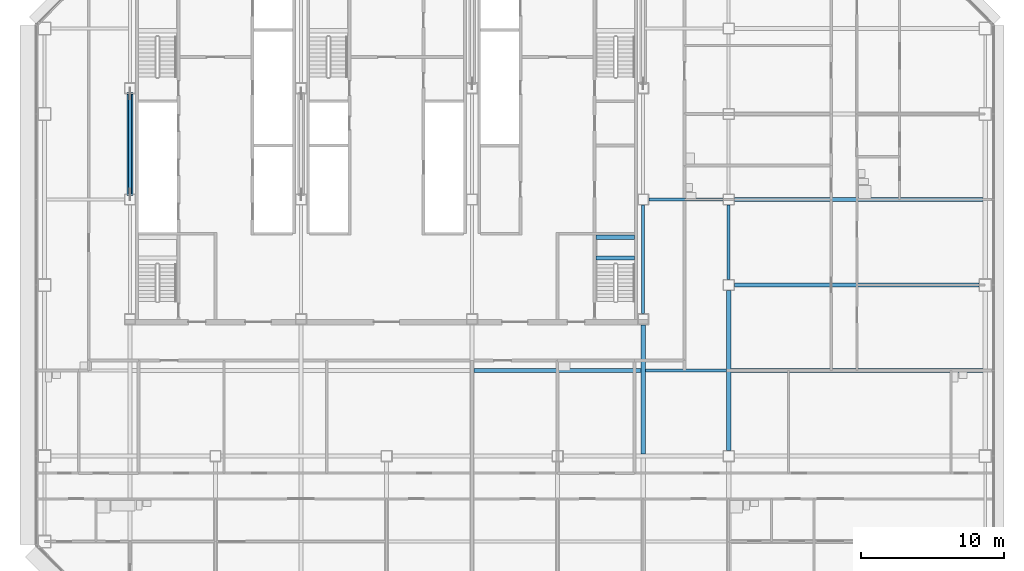
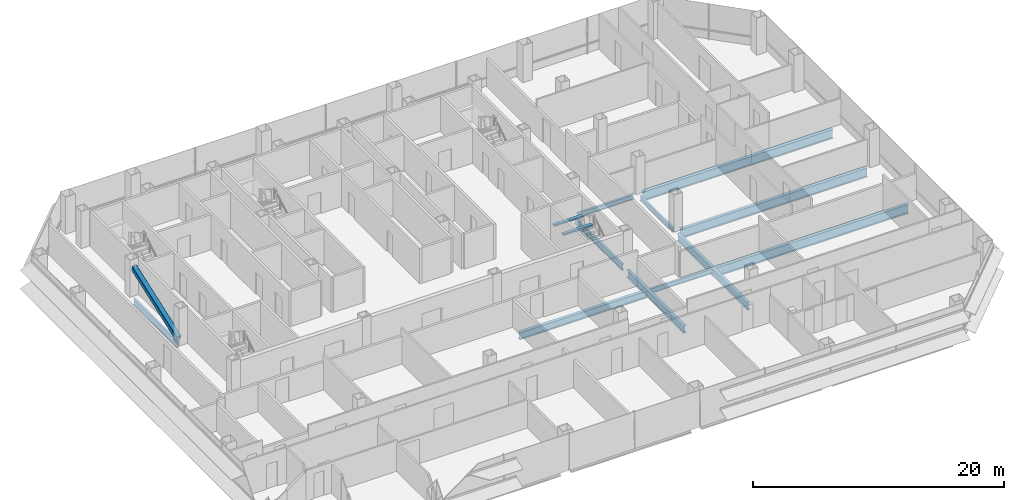
# One storey, part 10 of 27: 13 beams, 1 member.
"""IFC4 building model written with IfcOpenShell, lengths in metres."""

import ifcopenshell
import ifcopenshell.guid

model = None  # the IFC model being written
_history = None  # IfcOwnerHistory: only IFC2X3 demands one
_inside = {}  # id of a spatial element -> (the spatial element, [elements in it])
_under = {}  # id of a project, library or spatial element -> (it, [spatial elements below it])
_declared = {}  # id of a project -> (the project, [libraries it declares])
_typed = {}  # id of a type object -> (the type object, [elements of that type])
_made_of = {}  # id of a material, layer set ... -> (it, [elements and type objects made of it])


def new_model(schema):
    """Start an empty IFC model of exactly this schema.

    Asked for "IFC4X3", IfcOpenShell would pick the latest addendum, in which some entities
    have other attributes; the version numbers below select the first issue.
    IFC2X3 requires an IfcOwnerHistory on every rooted entity: one is made here for all.
    """
    global model, _history
    if schema == "IFC4X3":
        model = ifcopenshell.file(schema_version=(4, 3, 0, 0))
    else:
        model = ifcopenshell.file(schema=schema)
    _inside.clear()
    _under.clear()
    _declared.clear()
    _typed.clear()
    _made_of.clear()
    _history = None
    if model.schema == "IFC2X3":
        org = make("IfcOrganization", Name="unknown")
        user = make(
            "IfcPersonAndOrganization",
            ThePerson=make("IfcPerson", FamilyName="unknown"),
            TheOrganization=org,
        )
        app = make(
            "IfcApplication",
            ApplicationDeveloper=org,
            Version="unknown",
            ApplicationFullName="unknown",
            ApplicationIdentifier="unknown",
        )
        _history = make(
            "IfcOwnerHistory",
            OwningUser=user,
            OwningApplication=app,
            ChangeAction="ADDED",
            CreationDate=0,
        )
    return model


def make(cls, **values):
    """One entity of the class cls with the attributes given. An attribute that is None is left unset."""
    return model.create_entity(
        cls, **{name: value for name, value in values.items() if value is not None}
    )


def rooted(cls, **values):
    """An entity with a GlobalId (a new one), such as an element, a storey or a relation."""
    return make(cls, GlobalId=ifcopenshell.guid.new(), OwnerHistory=_history, **values)


def si_unit(unit_type, name, prefix=None):
    """IfcSIUnit, for example si_unit("LENGTHUNIT", "METRE", prefix="MILLI")."""
    return make("IfcSIUnit", UnitType=unit_type, Prefix=prefix, Name=name)


def assignment(units):
    """IfcUnitAssignment: the units of a project."""
    return None if units is None else make("IfcUnitAssignment", Units=units)


def point(xyz):
    """IfcCartesianPoint."""
    return None if xyz is None else make("IfcCartesianPoint", Coordinates=xyz)


def direction(xyz):
    """IfcDirection."""
    return None if xyz is None else make("IfcDirection", DirectionRatios=xyz)


def frame(location, z_axis=None, x_axis=None):
    """IfcAxis2Placement3D, a coordinate frame: its origin and axes. An axis left out is left unset."""
    return make(
        "IfcAxis2Placement3D",
        Location=point(location),
        Axis=direction(z_axis),
        RefDirection=direction(x_axis),
    )


def frame_2d(location, x_axis=None):
    """IfcAxis2Placement2D, a coordinate frame in the plane: its origin and x axis."""
    return make(
        "IfcAxis2Placement2D", Location=point(location), RefDirection=direction(x_axis)
    )


def origin():
    """The frame at (0, 0, 0) with its axes left unset."""
    return frame((0.0, 0.0, 0.0))


def origin_2d():
    """The frame at (0, 0) in the plane with its x axis left unset."""
    return frame_2d((0.0, 0.0))


def place(relative_to, where):
    """IfcLocalPlacement: puts the frame where relative to a parent placement (None: the world)."""
    return make(
        "IfcLocalPlacement", PlacementRelTo=relative_to, RelativePlacement=where
    )


def context(
    kind, dimensions, precision=None, world=None, true_north=None, identifier=None
):
    """IfcGeometricRepresentationContext, for example the 3D "Model" context."""
    return make(
        "IfcGeometricRepresentationContext",
        ContextIdentifier=identifier,
        ContextType=kind,
        CoordinateSpaceDimension=dimensions,
        Precision=precision,
        WorldCoordinateSystem=world,
        TrueNorth=true_north,
    )


def subcontext(parent, identifier, kind, view, scale=None):
    """IfcGeometricRepresentationSubContext, for example "Body" below "Model"."""
    return make(
        "IfcGeometricRepresentationSubContext",
        ContextIdentifier=identifier,
        ContextType=kind,
        ParentContext=parent,
        TargetScale=scale,
        TargetView=view,
    )


def project(units=None, contexts=None):
    """IfcProject with its units and contexts."""
    return rooted(
        "IfcProject",
        Name="project",
        RepresentationContexts=contexts,
        UnitsInContext=assignment(units),
    )


def spatial(cls, under=None, at=None, **own):
    """A site, building, storey or space (cls), placed at a placement, below another one or the project."""
    s = rooted(cls, ObjectPlacement=at, **own)
    if under is not None:
        _under.setdefault(under.id(), (under, []))[1].append(s)
    return s


def profile(cls, at=None, kind="AREA", **sizes):
    """A parametric profile (cls). Its sizes go by their IFC names, for example OverallWidth=200.0."""
    return make(cls, ProfileType=kind, Position=at, **sizes)


def rectangle(**sizes):
    """IfcRectangleProfileDef."""
    return profile("IfcRectangleProfileDef", **sizes)


def hollow_rectangle(**sizes):
    """IfcRectangleHollowProfileDef."""
    return profile("IfcRectangleHollowProfileDef", **sizes)


def i_section(**sizes):
    """IfcIShapeProfileDef."""
    return profile("IfcIShapeProfileDef", **sizes)


def extrude(swept, where, along, depth):
    """IfcExtrudedAreaSolid: the profile swept, set in the frame where, extruded along a direction by depth."""
    return make(
        "IfcExtrudedAreaSolid",
        SweptArea=swept,
        Position=where,
        ExtrudedDirection=direction(along),
        Depth=depth,
    )


def shape(context_of_items, identifier, shape_type, items):
    """IfcShapeRepresentation: the items that make up one representation, for example the "Body"."""
    return make(
        "IfcShapeRepresentation",
        ContextOfItems=context_of_items,
        RepresentationIdentifier=identifier,
        RepresentationType=shape_type,
        Items=items,
    )


def material(Name=None, Category=None):
    """IfcMaterial."""
    return make("IfcMaterial", Name=Name, Category=Category)


def material_profile(
    of_material, cross_section, Name=None, Category=None, Priority=None
):
    """IfcMaterialProfile: a cross section and its material."""
    return make(
        "IfcMaterialProfile",
        Name=Name,
        Material=of_material,
        Profile=cross_section,
        Priority=Priority,
        Category=Category,
    )


def profile_set(profiles, Name=None, composite=None):
    """IfcMaterialProfileSet."""
    return make(
        "IfcMaterialProfileSet",
        Name=Name,
        MaterialProfiles=profiles,
        CompositeProfile=composite,
    )


def made_of(thing, what):
    """Note that an element or type object is made of a material, layer set ...; save() writes the relation."""
    if what is not None:
        _made_of.setdefault(what.id(), (what, []))[1].append(thing)
    return thing


def type_object(cls, material=None, **own):
    """A type object (cls), such as IfcWallType, which elements share."""
    return made_of(rooted(cls, **own), material)


def element(
    cls,
    number,
    at=None,
    inside=None,
    cuts=None,
    type_object=None,
    material=None,
    context=None,
    identifier="Body",
    shape_type=None,
    held_by="IfcProductDefinitionShape",
    body=None,
    shapes=None,
    **own,
):
    """One element of the class cls, such as IfcWall. Its Tag is "e" and its number.

    at: its placement. inside: the storey or other place that contains it. cuts: it is an
    opening in that element (IfcRelVoidsElement). A single representation is given by context,
    identifier, shape_type and body (its items); several are given by shapes. held_by: the class
    of the entity that holds the representations. save() writes the other relations.
    """
    e = rooted(cls, Tag="e%d" % number, ObjectPlacement=at, **own)
    if body is not None:
        shapes = [shape(context, identifier, shape_type, body)]
    if shapes is not None:
        e.Representation = make(held_by, Representations=shapes)
    if inside is not None:
        _inside.setdefault(inside.id(), (inside, []))[1].append(e)
    if cuts is not None:
        rooted(
            "IfcRelVoidsElement", RelatingBuildingElement=cuts, RelatedOpeningElement=e
        )
    if type_object is not None:
        _typed.setdefault(type_object.id(), (type_object, []))[1].append(e)
    return made_of(e, material)


def aggregate(whole, parts):
    """IfcRelAggregates: a whole, such as a stair, and the parts it consists of."""
    return rooted("IfcRelAggregates", RelatingObject=whole, RelatedObjects=parts)


def save(model, path):
    """Write the relations noted so far, then the file.

    IfcRelAggregates (storeys below a building ...), IfcRelContainedInSpatialStructure (elements
    in a storey), IfcRelDefinesByType, IfcRelAssociatesMaterial and IfcRelDeclares: one each for
    every whole, place, type object, material and project.
    """
    for whole, parts in _under.values():
        aggregate(whole, parts)
    for where, things in _inside.values():
        rooted(
            "IfcRelContainedInSpatialStructure",
            RelatedElements=things,
            RelatingStructure=where,
        )
    for kind, things in _typed.values():
        rooted("IfcRelDefinesByType", RelatedObjects=things, RelatingType=kind)
    for what, things in _made_of.values():
        rooted("IfcRelAssociatesMaterial", RelatedObjects=things, RelatingMaterial=what)
    for by, libraries in _declared.values():
        rooted("IfcRelDeclares", RelatingContext=by, RelatedDefinitions=libraries)
    model.write(path)


model = new_model("IFC4")

# Units and contexts
model_context = context("Model", 3, precision=1e-05, world=origin(), true_north=direction((0.0, 1.0)))
body_context = subcontext(model_context, "Body", "Model", "MODEL_VIEW")
ifc_project = project(units=[si_unit("LENGTHUNIT", "METRE"), si_unit("AREAUNIT", "SQUARE_METRE"), si_unit("VOLUMEUNIT", "CUBIC_METRE"), si_unit("PLANEANGLEUNIT", "RADIAN"), si_unit("MASSUNIT", "GRAM", prefix="KILO")], contexts=[model_context])

# Site, building, storey
site_placement = place(None, origin())
site = spatial("IfcSite", under=ifc_project, at=site_placement, CompositionType="ELEMENT")
building_placement = place(site_placement, origin())
building = spatial("IfcBuilding", under=site, at=building_placement, Name="Sorahane Residences", CompositionType="ELEMENT")
storey_placement = place(building_placement, frame((0.0, 0.0, 78.60009765625)))
storey = spatial("IfcBuildingStorey", under=building, at=storey_placement, Name="L16", CompositionType="ELEMENT", Elevation=78.60009765625)

# Member
ifc_material_1 = material(Name="Steel Q355B", Category="steel")
ifc_material_profile_1 = material_profile(ifc_material_1, hollow_rectangle(XDim=0.449951171875, YDim=0.449951171875, WallThickness=0.02197265625, InnerFilletRadius=0.010986328125, OuterFilletRadius=0.032958984375, at=origin_2d()), Name="RHS 450x450x22")
ifc_profile_set_1 = profile_set([ifc_material_profile_1], Name="Steel Q355B")
member_type = type_object("IfcMemberType", Name="Core brace RHS 450x450x22 Q355B", PredefinedType="BRACE", material=ifc_profile_set_1)
member_placement = place(storey_placement, frame((6.0, 30.354248046875, 0.20849609375), z_axis=(0.0, 0.940886586011, 0.338721762313), x_axis=(-1.0, 0.0, 0.0)))
element("IfcMember", 1, at=member_placement, inside=storey, type_object=member_type, Name="Core brace L16 x6-2", PredefinedType="BRACE", context=body_context, shape_type="SweptSolid", body=[
    extrude(hollow_rectangle(XDim=0.449951171875, YDim=0.449951171875, WallThickness=0.02197265625, InnerFilletRadius=0.010986328125, OuterFilletRadius=0.032958984375, at=origin_2d()), origin(), (0.0, 0.0, 1.0), 7.537109375),
])

# Beams
ifc_material_2 = material(Name="Concrete C40", Category="concrete")
ifc_material_profile_2 = material_profile(ifc_material_2, rectangle(XDim=0.300048828125, YDim=0.139892578125, at=origin_2d()), Name="300x140")
ifc_profile_set_2 = profile_set([ifc_material_profile_2], Name="Concrete C40")
beam_type_1 = type_object("IfcBeamType", Name="RC landing beam 300 x 140 Concrete C40", PredefinedType="BEAM", material=ifc_profile_set_2)
for number, where, z_axis, x_axis, name in (
    (2, (38.699951171875, 25.89990234375, 1.52978515625), (1.0, 0.0, 0.0), (0.0, 1.0, 0.0), "Landing beam"),
    (3, (38.699951171875, 27.35009765625, 1.52978515625), (1.0, 0.0, 0.0), (0.0, 1.0, 0.0), "Landing beam"),
):
    element("IfcBeam", number, at=place(storey_placement, frame(where, z_axis=z_axis, x_axis=x_axis)), inside=storey, type_object=beam_type_1, Name=name, PredefinedType="BEAM", context=body_context, shape_type="SweptSolid", body=[
        extrude(rectangle(XDim=0.300048828125, YDim=0.139892578125, at=origin_2d()), origin(), (0.0, 0.0, 1.0), 2.699951171875),
    ])
ifc_material_3 = material(Name="Steel Q355B", Category="steel")
ifc_material_profile_3 = material_profile(ifc_material_3, i_section(OverallWidth=0.199951171875, OverallDepth=0.449951171875, WebThickness=0.009033203125, FlangeThickness=0.013916015625, FilletRadius=0.02001953125, at=origin_2d()), Name="HN 450x200x9x14")
ifc_profile_set_3 = profile_set([ifc_material_profile_3], Name="Steel Q355B")
beam_type_2 = type_object("IfcBeamType", Name="Steel floor beam HN 450x200x9x14 Q355B", PredefinedType="BEAM", material=ifc_profile_set_3)
beam_1_placement = place(storey_placement, frame((48.0, 24.39990234375, -0.405029296875), z_axis=(0.0, 1.0, 0.0), x_axis=(-1.0, 0.0, 0.0)))
element("IfcBeam", 4, at=beam_1_placement, inside=storey, type_object=beam_type_2, Name="Beam L16 053", PredefinedType="BEAM", context=body_context, shape_type="SweptSolid", body=[
    extrude(i_section(OverallWidth=0.199951171875, OverallDepth=0.449951171875, WebThickness=0.009033203125, FlangeThickness=0.013916015625, FilletRadius=0.02001953125, at=origin_2d()), origin(), (0.0, 0.0, 1.0), 5.2001953125),
])
beam_2_placement = place(storey_placement, frame((42.14990234375, 18.0, -0.405029296875), z_axis=(1.0, 0.0, 0.0), x_axis=(0.0, 1.0, 0.0)))
element("IfcBeam", 5, at=beam_2_placement, inside=storey, type_object=beam_type_2, Name="Beam L16 074", PredefinedType="BEAM", context=body_context, shape_type="SweptSolid", body=[
    extrude(i_section(OverallWidth=0.199951171875, OverallDepth=0.449951171875, WebThickness=0.009033203125, FlangeThickness=0.013916015625, FilletRadius=0.02001953125, at=origin_2d()), origin(), (0.0, 0.0, 1.0), 5.7001953125),
])
beam_3_placement = place(storey_placement, frame((42.39990234375, 30.0, -0.405029296875), z_axis=(1.0, 0.0, 0.0), x_axis=(0.0, 1.0, 0.0)))
element("IfcBeam", 6, at=beam_3_placement, inside=storey, type_object=beam_type_2, Name="Beam L16 077", PredefinedType="BEAM", context=body_context, shape_type="SweptSolid", body=[
    extrude(i_section(OverallWidth=0.199951171875, OverallDepth=0.449951171875, WebThickness=0.009033203125, FlangeThickness=0.013916015625, FilletRadius=0.02001953125, at=origin_2d()), origin(), (0.0, 0.0, 1.0), 5.2001953125),
])
ifc_material_4 = material(Name="Steel Q355B", Category="steel")
ifc_material_profile_4 = material_profile(ifc_material_4, i_section(OverallWidth=0.199951171875, OverallDepth=0.60009765625, WebThickness=0.010986328125, FlangeThickness=0.01708984375, FilletRadius=0.02392578125, at=origin_2d()), Name="HN 600x200x11x17")
ifc_profile_set_4 = profile_set([ifc_material_profile_4], Name="Steel Q355B")
beam_type_3 = type_object("IfcBeamType", Name="Steel floor beam HN 600x200x11x17 Q355B", PredefinedType="BEAM", material=ifc_profile_set_4)
beam_4_placement = place(storey_placement, frame((6.0, 30.39990234375, -0.47998046875), z_axis=(0.0, 1.0, 0.0), x_axis=(-1.0, 0.0, 0.0)))
element("IfcBeam", 7, at=beam_4_placement, inside=storey, type_object=beam_type_3, Name="Beam L16 024", PredefinedType="BEAM", context=body_context, shape_type="SweptSolid", body=[
    extrude(i_section(OverallWidth=0.199951171875, OverallDepth=0.60009765625, WebThickness=0.010986328125, FlangeThickness=0.01708984375, FilletRadius=0.02392578125, at=origin_2d()), origin(), (0.0, 0.0, 1.0), 7.0),
])
beam_5_placement = place(storey_placement, frame((42.0, 22.0, -0.47998046875), z_axis=(0.0, 1.0, 0.0), x_axis=(-1.0, 0.0, 0.0)))
element("IfcBeam", 8, at=beam_5_placement, inside=storey, type_object=beam_type_3, Name="Beam L16 047", PredefinedType="BEAM", context=body_context, shape_type="SweptSolid", body=[
    extrude(i_section(OverallWidth=0.199951171875, OverallDepth=0.60009765625, WebThickness=0.010986328125, FlangeThickness=0.01708984375, FilletRadius=0.02392578125, at=origin_2d()), origin(), (0.0, 0.0, 1.0), 7.60009765625),
])
ifc_material_5 = material(Name="Steel Q355B", Category="steel")
ifc_material_profile_5 = material_profile(ifc_material_5, i_section(OverallWidth=0.300048828125, OverallDepth=0.699951171875, WebThickness=0.012939453125, FlangeThickness=0.02392578125, FilletRadius=0.028076171875, at=origin_2d()), Name="HN 700x300x13x24")
ifc_profile_set_5 = profile_set([ifc_material_profile_5], Name="Steel Q355B")
beam_type_4 = type_object("IfcBeamType", Name="Steel floor beam HN 700x300x13x24 Q355B", PredefinedType="BEAM", material=ifc_profile_set_5)
beam_6_placement = place(storey_placement, frame((42.0, 12.14990234375, -0.530029296875), z_axis=(0.0, 1.0, 0.0), x_axis=(-1.0, 0.0, 0.0)))
element("IfcBeam", 9, at=beam_6_placement, inside=storey, type_object=beam_type_4, Name="Beam L16 046", PredefinedType="BEAM", context=body_context, shape_type="SweptSolid", body=[
    extrude(i_section(OverallWidth=0.300048828125, OverallDepth=0.699951171875, WebThickness=0.012939453125, FlangeThickness=0.02392578125, FilletRadius=0.028076171875, at=origin_2d()), origin(), (0.0, 0.0, 1.0), 9.050048828125),
])
beam_7_placement = place(storey_placement, frame((48.0, 12.39990234375, -0.530029296875), z_axis=(0.0, 1.0, 0.0), x_axis=(-1.0, 0.0, 0.0)))
element("IfcBeam", 10, at=beam_7_placement, inside=storey, type_object=beam_type_4, Name="Beam L16 052", PredefinedType="BEAM", context=body_context, shape_type="SweptSolid", body=[
    extrude(i_section(OverallWidth=0.300048828125, OverallDepth=0.699951171875, WebThickness=0.012939453125, FlangeThickness=0.02392578125, FilletRadius=0.028076171875, at=origin_2d()), origin(), (0.0, 0.0, 1.0), 11.2001953125),
])
beam_8_placement = place(storey_placement, frame((30.14990234375, 18.0, -0.530029296875), z_axis=(1.0, 0.0, 0.0), x_axis=(0.0, 1.0, 0.0)))
element("IfcBeam", 11, at=beam_8_placement, inside=storey, type_object=beam_type_4, Name="Beam L16 073", PredefinedType="BEAM", context=body_context, shape_type="SweptSolid", body=[
    extrude(i_section(OverallWidth=0.300048828125, OverallDepth=0.699951171875, WebThickness=0.012939453125, FlangeThickness=0.02392578125, FilletRadius=0.028076171875, at=origin_2d()), origin(), (0.0, 0.0, 1.0), 11.7001953125),
])
ifc_material_6 = material(Name="Steel Q355B", Category="steel")
ifc_material_profile_6 = material_profile(ifc_material_6, i_section(OverallWidth=0.300048828125, OverallDepth=0.89990234375, WebThickness=0.01611328125, FlangeThickness=0.028076171875, FilletRadius=0.028076171875, at=origin_2d()), Name="HN 900x300x16x28")
ifc_profile_set_6 = profile_set([ifc_material_profile_6], Name="Steel Q355B")
beam_type_5 = type_object("IfcBeamType", Name="Steel floor beam HN 900x300x16x28 Q355B", PredefinedType="BEAM", material=ifc_profile_set_6)
beam_9_placement = place(storey_placement, frame((48.39990234375, 24.0, -0.630126953125), z_axis=(1.0, 0.0, 0.0), x_axis=(0.0, 1.0, 0.0)))
element("IfcBeam", 12, at=beam_9_placement, inside=storey, type_object=beam_type_5, Name="Beam L16 010", PredefinedType="BEAM", context=body_context, shape_type="SweptSolid", body=[
    extrude(i_section(OverallWidth=0.300048828125, OverallDepth=0.89990234375, WebThickness=0.01611328125, FlangeThickness=0.028076171875, FilletRadius=0.028076171875, at=origin_2d()), origin(), (0.0, 0.0, 1.0), 17.150146484375),
])
beam_10_placement = place(storey_placement, frame((48.14990234375, 18.0, -0.630126953125), z_axis=(1.0, 0.0, 0.0), x_axis=(0.0, 1.0, 0.0)))
element("IfcBeam", 13, at=beam_10_placement, inside=storey, type_object=beam_type_5, Name="Beam L16 075", PredefinedType="BEAM", context=body_context, shape_type="SweptSolid", body=[
    extrude(i_section(OverallWidth=0.300048828125, OverallDepth=0.89990234375, WebThickness=0.01611328125, FlangeThickness=0.028076171875, FilletRadius=0.028076171875, at=origin_2d()), origin(), (0.0, 0.0, 1.0), 17.7001953125),
])
beam_11_placement = place(storey_placement, frame((48.39990234375, 30.0, -0.630126953125), z_axis=(1.0, 0.0, 0.0), x_axis=(0.0, 1.0, 0.0)))
element("IfcBeam", 14, at=beam_11_placement, inside=storey, type_object=beam_type_5, Name="Beam L16 078", PredefinedType="BEAM", context=body_context, shape_type="SweptSolid", body=[
    extrude(i_section(OverallWidth=0.300048828125, OverallDepth=0.89990234375, WebThickness=0.01611328125, FlangeThickness=0.028076171875, FilletRadius=0.028076171875, at=origin_2d()), origin(), (0.0, 0.0, 1.0), 17.4501953125),
])

save(model, "model.ifc")
